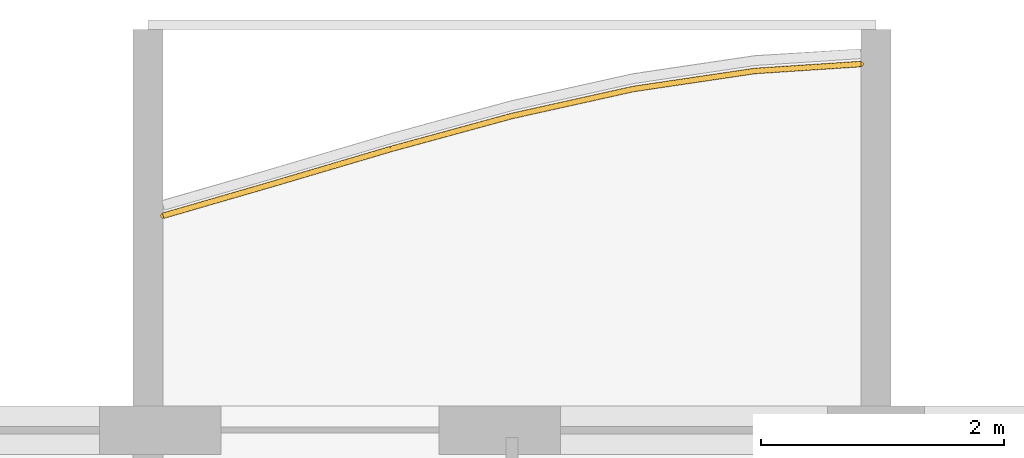
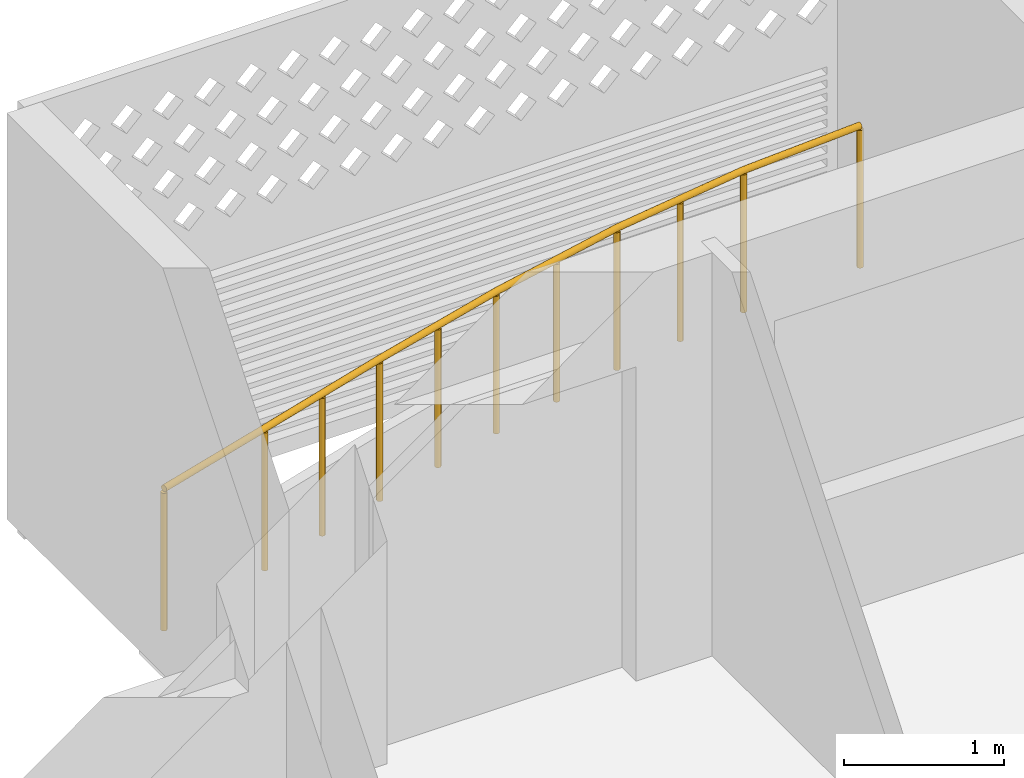
# One storey, part 22 of 27: 1 railing.
"""IFC4 building model written with IfcOpenShell, lengths in metres."""

from ifc_helpers import new_model, si_unit, direction, frame, origin, origin_2d, place, context, subcontext, project, spatial, circle, extrude, material, type_object, element, save


model = new_model("IFC4")

# Units and contexts
model_context = context("Model", 3, precision=1e-05, world=origin(), true_north=direction((0.0, 1.0)))
body_context = subcontext(model_context, "Body", "Model", "MODEL_VIEW")
ifc_project = project(units=[si_unit("LENGTHUNIT", "METRE"), si_unit("AREAUNIT", "SQUARE_METRE"), si_unit("VOLUMEUNIT", "CUBIC_METRE"), si_unit("PLANEANGLEUNIT", "RADIAN"), si_unit("MASSUNIT", "GRAM", prefix="KILO")], contexts=[model_context])

# Site, building, storey
site_placement = place(None, origin())
site = spatial("IfcSite", under=ifc_project, at=site_placement, CompositionType="ELEMENT")
building_placement = place(site_placement, origin())
building = spatial("IfcBuilding", under=site, at=building_placement, Name="Poui Terraces", CompositionType="ELEMENT")
storey_placement = place(building_placement, frame((0.0, 0.0, 191.699951171875)))
storey = spatial("IfcBuildingStorey", under=building, at=storey_placement, Name="L53", CompositionType="ELEMENT", Elevation=191.699951171875)

# Railing
ifc_material = material(Name="Painted steel fretwork", Category="steel")
railing_type = type_object("IfcRailingType", Name="BALCONY GUARD 1100", PredefinedType="GUARDRAIL", material=ifc_material)
railing_placement = place(storey_placement, frame((54.125, 42.967041015625, 0.0)))
element("IfcRailing", 1, at=railing_placement, inside=storey, type_object=railing_type, Name="BALCONY GUARD", PredefinedType="GUARDRAIL", context=body_context, shape_type="SweptSolid", body=[
    extrude(circle(Radius=0.02392578125, at=origin_2d()), frame((0.0, 0.0, 1.076171875), z_axis=(0.960454941812, 0.278435458857, 0.0), x_axis=(-0.278435458857, 0.960454941812, 0.0)), (0.0, 0.0, 1.0), 0.9111328125),
    extrude(circle(Radius=0.02392578125, at=origin_2d()), frame((0.875, 0.253662109375, 1.076171875), z_axis=(0.958965639945, 0.283522312005, 0.0), x_axis=(-0.283522312005, 0.958965639945, 0.0)), (0.0, 0.0, 1.0), 1.042724609375),
    extrude(circle(Radius=0.02392578125, at=origin_2d()), frame((1.875, 0.54931640625, 1.076171875), z_axis=(0.964709448785, 0.263316690367, 0.0), x_axis=(-0.263316690367, 0.964709448785, 0.0)), (0.0, 0.0, 1.0), 1.03662109375),
    extrude(circle(Radius=0.02392578125, at=origin_2d()), frame((2.875, 0.822265625, 1.076171875), z_axis=(0.976198274393, 0.216879987719, 0.0), x_axis=(-0.216879987719, 0.976198274393, 0.0)), (0.0, 0.0, 1.0), 1.0244140625),
    extrude(circle(Radius=0.02392578125, at=origin_2d()), frame((3.875, 1.04443359375, 1.076171875), z_axis=(0.989161931015, 0.146828724135, 0.0), x_axis=(-0.146828724135, 0.989161931015, 0.0)), (0.0, 0.0, 1.0), 1.010986328125),
    extrude(circle(Radius=0.02392578125, at=origin_2d()), frame((4.875, 1.19287109375, 1.076171875), z_axis=(0.997875386497, 0.065151462176, 0.0), x_axis=(-0.065151462176, 0.997875386497, 0.0)), (0.0, 0.0, 1.0), 0.876953125),
    extrude(circle(Radius=0.02099609375, at=origin_2d()), origin(), (0.0, 0.0, 1.0), 1.052001953125),
    extrude(circle(Radius=0.02099609375, at=origin_2d()), frame((0.875, 0.253662109375, 0.0)), (0.0, 0.0, 1.0), 1.052001953125),
    extrude(circle(Radius=0.02099609375, at=origin_2d()), frame((1.375, 0.4013671875, 0.0)), (0.0, 0.0, 1.0), 1.052001953125),
    extrude(circle(Radius=0.02099609375, at=origin_2d()), frame((1.875, 0.54931640625, 0.0)), (0.0, 0.0, 1.0), 1.052001953125),
    extrude(circle(Radius=0.02099609375, at=origin_2d()), frame((2.375, 0.685791015625, 0.0)), (0.0, 0.0, 1.0), 1.052001953125),
    extrude(circle(Radius=0.02099609375, at=origin_2d()), frame((2.875, 0.822265625, 0.0)), (0.0, 0.0, 1.0), 1.052001953125),
    extrude(circle(Radius=0.02099609375, at=origin_2d()), frame((3.375, 0.933349609375, 0.0)), (0.0, 0.0, 1.0), 1.052001953125),
    extrude(circle(Radius=0.02099609375, at=origin_2d()), frame((3.875, 1.04443359375, 0.0)), (0.0, 0.0, 1.0), 1.052001953125),
    extrude(circle(Radius=0.02099609375, at=origin_2d()), frame((4.375, 1.11865234375, 0.0)), (0.0, 0.0, 1.0), 1.052001953125),
    extrude(circle(Radius=0.02099609375, at=origin_2d()), frame((4.875, 1.19287109375, 0.0)), (0.0, 0.0, 1.0), 1.052001953125),
    extrude(circle(Radius=0.02099609375, at=origin_2d()), frame((5.75, 1.25, 0.0)), (0.0, 0.0, 1.0), 1.052001953125),
])

save(model, "model.ifc")
